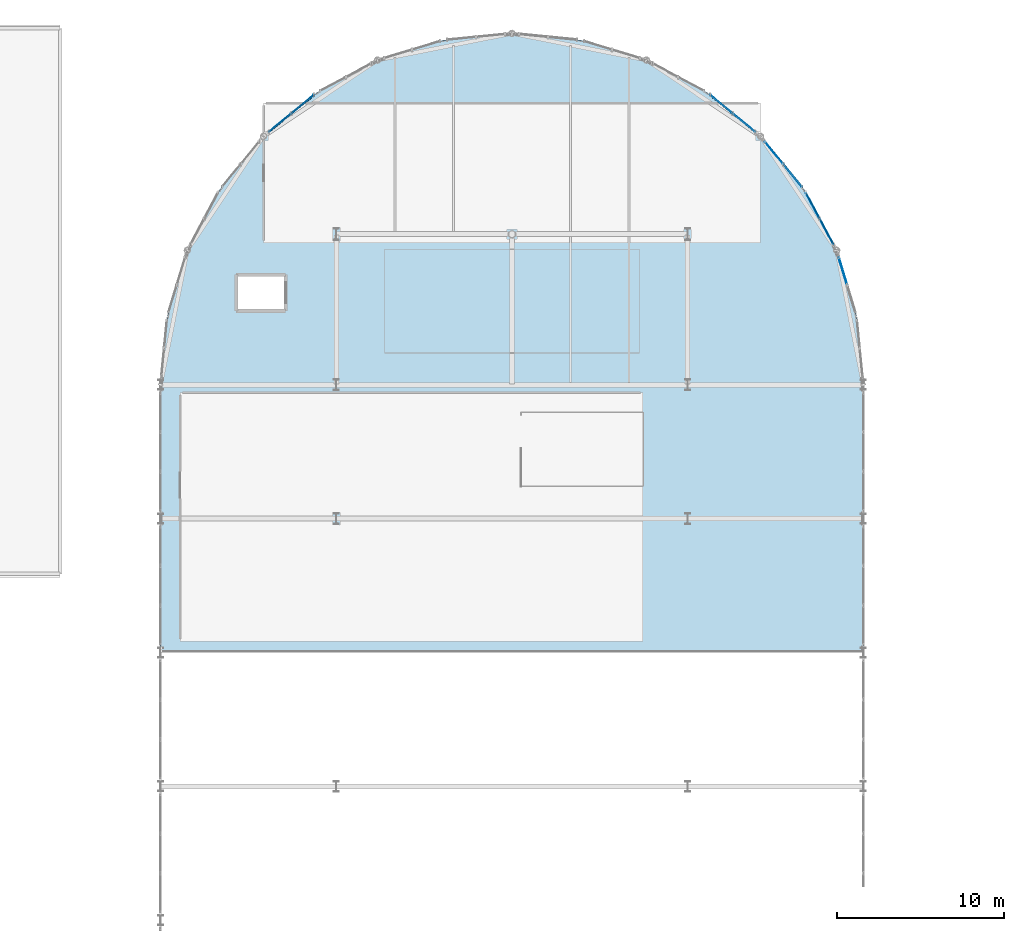
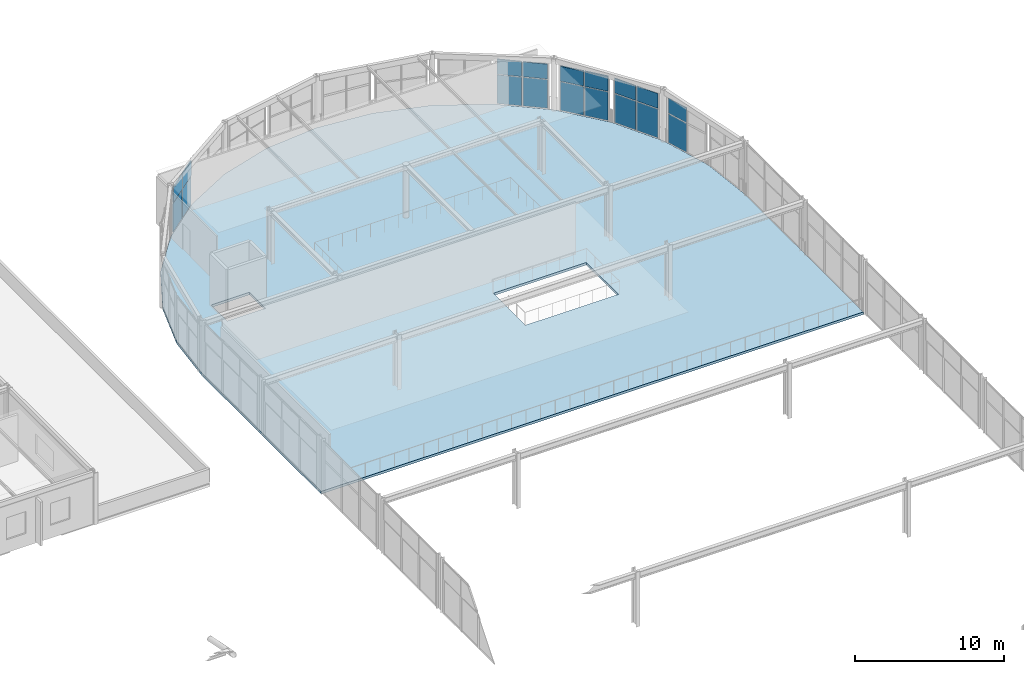
# One storey, part 55 of 105: 18 plates, 1 slab, 5 elements without a shape of their own.
"""IFC4 building model written with IfcOpenShell, lengths in metres."""

import ifcopenshell
import ifcopenshell.guid

model = None  # the IFC model being written
_history = None  # IfcOwnerHistory: only IFC2X3 demands one
_inside = {}  # id of a spatial element -> (the spatial element, [elements in it])
_under = {}  # id of a project, library or spatial element -> (it, [spatial elements below it])
_declared = {}  # id of a project -> (the project, [libraries it declares])
_typed = {}  # id of a type object -> (the type object, [elements of that type])
_made_of = {}  # id of a material, layer set ... -> (it, [elements and type objects made of it])


def new_model(schema):
    """Start an empty IFC model of exactly this schema.

    Asked for "IFC4X3", IfcOpenShell would pick the latest addendum, in which some entities
    have other attributes; the version numbers below select the first issue.
    IFC2X3 requires an IfcOwnerHistory on every rooted entity: one is made here for all.
    """
    global model, _history
    if schema == "IFC4X3":
        model = ifcopenshell.file(schema_version=(4, 3, 0, 0))
    else:
        model = ifcopenshell.file(schema=schema)
    _inside.clear()
    _under.clear()
    _declared.clear()
    _typed.clear()
    _made_of.clear()
    _history = None
    if model.schema == "IFC2X3":
        org = make("IfcOrganization", Name="unknown")
        user = make(
            "IfcPersonAndOrganization",
            ThePerson=make("IfcPerson", FamilyName="unknown"),
            TheOrganization=org,
        )
        app = make(
            "IfcApplication",
            ApplicationDeveloper=org,
            Version="unknown",
            ApplicationFullName="unknown",
            ApplicationIdentifier="unknown",
        )
        _history = make(
            "IfcOwnerHistory",
            OwningUser=user,
            OwningApplication=app,
            ChangeAction="ADDED",
            CreationDate=0,
        )
    return model


def make(cls, **values):
    """One entity of the class cls with the attributes given. An attribute that is None is left unset."""
    return model.create_entity(
        cls, **{name: value for name, value in values.items() if value is not None}
    )


def rooted(cls, **values):
    """An entity with a GlobalId (a new one), such as an element, a storey or a relation."""
    return make(cls, GlobalId=ifcopenshell.guid.new(), OwnerHistory=_history, **values)


def si_unit(unit_type, name, prefix=None):
    """IfcSIUnit, for example si_unit("LENGTHUNIT", "METRE", prefix="MILLI")."""
    return make("IfcSIUnit", UnitType=unit_type, Prefix=prefix, Name=name)


def assignment(units):
    """IfcUnitAssignment: the units of a project."""
    return None if units is None else make("IfcUnitAssignment", Units=units)


def point(xyz):
    """IfcCartesianPoint."""
    return None if xyz is None else make("IfcCartesianPoint", Coordinates=xyz)


def direction(xyz):
    """IfcDirection."""
    return None if xyz is None else make("IfcDirection", DirectionRatios=xyz)


def frame(location, z_axis=None, x_axis=None):
    """IfcAxis2Placement3D, a coordinate frame: its origin and axes. An axis left out is left unset."""
    return make(
        "IfcAxis2Placement3D",
        Location=point(location),
        Axis=direction(z_axis),
        RefDirection=direction(x_axis),
    )


def frame_2d(location, x_axis=None):
    """IfcAxis2Placement2D, a coordinate frame in the plane: its origin and x axis."""
    return make(
        "IfcAxis2Placement2D", Location=point(location), RefDirection=direction(x_axis)
    )


def origin():
    """The frame at (0, 0, 0) with its axes left unset."""
    return frame((0.0, 0.0, 0.0))


def origin_2d():
    """The frame at (0, 0) in the plane with its x axis left unset."""
    return frame_2d((0.0, 0.0))


def place(relative_to, where):
    """IfcLocalPlacement: puts the frame where relative to a parent placement (None: the world)."""
    return make(
        "IfcLocalPlacement", PlacementRelTo=relative_to, RelativePlacement=where
    )


def context(
    kind, dimensions, precision=None, world=None, true_north=None, identifier=None
):
    """IfcGeometricRepresentationContext, for example the 3D "Model" context."""
    return make(
        "IfcGeometricRepresentationContext",
        ContextIdentifier=identifier,
        ContextType=kind,
        CoordinateSpaceDimension=dimensions,
        Precision=precision,
        WorldCoordinateSystem=world,
        TrueNorth=true_north,
    )


def subcontext(parent, identifier, kind, view, scale=None):
    """IfcGeometricRepresentationSubContext, for example "Body" below "Model"."""
    return make(
        "IfcGeometricRepresentationSubContext",
        ContextIdentifier=identifier,
        ContextType=kind,
        ParentContext=parent,
        TargetScale=scale,
        TargetView=view,
    )


def project(units=None, contexts=None):
    """IfcProject with its units and contexts."""
    return rooted(
        "IfcProject",
        Name="project",
        RepresentationContexts=contexts,
        UnitsInContext=assignment(units),
    )


def spatial(cls, under=None, at=None, **own):
    """A site, building, storey or space (cls), placed at a placement, below another one or the project."""
    s = rooted(cls, ObjectPlacement=at, **own)
    if under is not None:
        _under.setdefault(under.id(), (under, []))[1].append(s)
    return s


def polyline(points):
    """IfcPolyline through the points."""
    return make("IfcPolyline", Points=[point(p) for p in points])


def profile(cls, at=None, kind="AREA", **sizes):
    """A parametric profile (cls). Its sizes go by their IFC names, for example OverallWidth=200.0."""
    return make(cls, ProfileType=kind, Position=at, **sizes)


def rectangle(**sizes):
    """IfcRectangleProfileDef."""
    return profile("IfcRectangleProfileDef", **sizes)


def outline(outer, holes=None, kind="AREA"):
    """IfcArbitraryClosedProfileDef: a profile drawn as a closed curve; with holes, ...WithVoids."""
    if holes is None:
        return make("IfcArbitraryClosedProfileDef", ProfileType=kind, OuterCurve=outer)
    return make(
        "IfcArbitraryProfileDefWithVoids",
        ProfileType=kind,
        OuterCurve=outer,
        InnerCurves=holes,
    )


def extrude(swept, where, along, depth):
    """IfcExtrudedAreaSolid: the profile swept, set in the frame where, extruded along a direction by depth."""
    return make(
        "IfcExtrudedAreaSolid",
        SweptArea=swept,
        Position=where,
        ExtrudedDirection=direction(along),
        Depth=depth,
    )


def shape(context_of_items, identifier, shape_type, items):
    """IfcShapeRepresentation: the items that make up one representation, for example the "Body"."""
    return make(
        "IfcShapeRepresentation",
        ContextOfItems=context_of_items,
        RepresentationIdentifier=identifier,
        RepresentationType=shape_type,
        Items=items,
    )


def material(Name=None, Category=None):
    """IfcMaterial."""
    return make("IfcMaterial", Name=Name, Category=Category)


def layer(
    of_material, thickness, ventilated=None, Name=None, Category=None, Priority=None
):
    """IfcMaterialLayer: one layer of a wall or slab, of a material (None: an air gap)."""
    return make(
        "IfcMaterialLayer",
        Material=of_material,
        LayerThickness=thickness,
        IsVentilated=ventilated,
        Name=Name,
        Category=Category,
        Priority=Priority,
    )


def layer_set(layers, Name=None):
    """IfcMaterialLayerSet."""
    return make("IfcMaterialLayerSet", MaterialLayers=layers, LayerSetName=Name)


def made_of(thing, what):
    """Note that an element or type object is made of a material, layer set ...; save() writes the relation."""
    if what is not None:
        _made_of.setdefault(what.id(), (what, []))[1].append(thing)
    return thing


def type_object(cls, material=None, **own):
    """A type object (cls), such as IfcWallType, which elements share."""
    return made_of(rooted(cls, **own), material)


def element(
    cls,
    number,
    at=None,
    inside=None,
    cuts=None,
    type_object=None,
    material=None,
    context=None,
    identifier="Body",
    shape_type=None,
    held_by="IfcProductDefinitionShape",
    body=None,
    shapes=None,
    **own,
):
    """One element of the class cls, such as IfcWall. Its Tag is "e" and its number.

    at: its placement. inside: the storey or other place that contains it. cuts: it is an
    opening in that element (IfcRelVoidsElement). A single representation is given by context,
    identifier, shape_type and body (its items); several are given by shapes. held_by: the class
    of the entity that holds the representations. save() writes the other relations.
    """
    e = rooted(cls, Tag="e%d" % number, ObjectPlacement=at, **own)
    if body is not None:
        shapes = [shape(context, identifier, shape_type, body)]
    if shapes is not None:
        e.Representation = make(held_by, Representations=shapes)
    if inside is not None:
        _inside.setdefault(inside.id(), (inside, []))[1].append(e)
    if cuts is not None:
        rooted(
            "IfcRelVoidsElement", RelatingBuildingElement=cuts, RelatedOpeningElement=e
        )
    if type_object is not None:
        _typed.setdefault(type_object.id(), (type_object, []))[1].append(e)
    return made_of(e, material)


def aggregate(whole, parts):
    """IfcRelAggregates: a whole, such as a stair, and the parts it consists of."""
    return rooted("IfcRelAggregates", RelatingObject=whole, RelatedObjects=parts)


def save(model, path):
    """Write the relations noted so far, then the file.

    IfcRelAggregates (storeys below a building ...), IfcRelContainedInSpatialStructure (elements
    in a storey), IfcRelDefinesByType, IfcRelAssociatesMaterial and IfcRelDeclares: one each for
    every whole, place, type object, material and project.
    """
    for whole, parts in _under.values():
        aggregate(whole, parts)
    for where, things in _inside.values():
        rooted(
            "IfcRelContainedInSpatialStructure",
            RelatedElements=things,
            RelatingStructure=where,
        )
    for kind, things in _typed.values():
        rooted("IfcRelDefinesByType", RelatedObjects=things, RelatingType=kind)
    for what, things in _made_of.values():
        rooted("IfcRelAssociatesMaterial", RelatedObjects=things, RelatingMaterial=what)
    for by, libraries in _declared.values():
        rooted("IfcRelDeclares", RelatingContext=by, RelatedDefinitions=libraries)
    model.write(path)


model = new_model("IFC4")

# Units and contexts
model_context = context("Model", 3, precision=1e-05, world=origin(), true_north=direction((0.0, 1.0)))
body_context = subcontext(model_context, "Body", "Model", "MODEL_VIEW")
ifc_project = project(units=[si_unit("LENGTHUNIT", "METRE"), si_unit("AREAUNIT", "SQUARE_METRE"), si_unit("VOLUMEUNIT", "CUBIC_METRE"), si_unit("PLANEANGLEUNIT", "RADIAN"), si_unit("MASSUNIT", "GRAM", prefix="KILO")], contexts=[model_context])

# Site, building, storey
site_placement = place(None, origin())
site = spatial("IfcSite", under=ifc_project, at=site_placement, CompositionType="ELEMENT")
building_placement = place(site_placement, origin())
building = spatial("IfcBuilding", under=site, at=building_placement, Name="Marlcrest Central Station", CompositionType="ELEMENT")
storey_placement = place(building_placement, frame((0.0, 0.0, 15.0)))
storey = spatial("IfcBuildingStorey", under=building, at=storey_placement, Name="L03", CompositionType="ELEMENT", Elevation=15.0)

# Curtain wall, plates
ifc_material_1 = material(Name="Anodised aluminium and hurricane laminated glass", Category="aluminium")
ifc_layer_1 = layer(ifc_material_1, 0.219970703125, Name="CW-U1")
ifc_layer_set_1 = layer_set([ifc_layer_1], Name="Anodised aluminium and hurricane laminated glass")
curtain_wall_type = type_object("IfcCurtainWallType", Name="CW-U1", PredefinedType="USERDEFINED", material=ifc_layer_set_1)
curtain_wall_1_placement = place(storey_placement, origin())
curtain_wall_1 = element("IfcCurtainWall", 1, at=curtain_wall_1_placement, inside=storey, type_object=curtain_wall_type, Name="cw-L03-0087", ObjectType="UNITISED_CURTAIN_WALL", PredefinedType="USERDEFINED")
ifc_material_2 = material(Name="Hurricane laminated solar-control glass", Category="glass")
ifc_layer_2 = layer(ifc_material_2, 0.031982421875, Name="CP-01")
ifc_layer_set_2 = layer_set([ifc_layer_2], Name="Hurricane laminated solar-control glass")
plate_type_1 = type_object("IfcPlateType", Name="CP-01", PredefinedType="CURTAIN_PANEL", material=ifc_layer_set_2)
plate_1_placement = place(storey_placement, frame((94.140869140625, 126.16162109375, 0.079833984375), z_axis=(0.0, 0.0, 1.0), x_axis=(0.772944015615, 0.63447423015, 0.0)))
plate_1 = element("IfcPlate", 2, at=plate_1_placement, type_object=plate_type_1, Name="cw-L03-0087-cp-lo-0", PredefinedType="CURTAIN_PANEL", context=body_context, shape_type="SweptSolid", body=[
    extrude(rectangle(XDim=1.677490234375, YDim=0.031982421875, at=origin_2d()), origin(), (0.0, 0.0, 1.0), 2.35009765625),
])
plate_2_placement = place(storey_placement, frame((95.49609375, 127.274169921875, 0.079833984375), z_axis=(0.0, 0.0, 1.0), x_axis=(0.772944015615, 0.63447423015, 0.0)))
plate_2 = element("IfcPlate", 3, at=plate_2_placement, type_object=plate_type_1, Name="cw-L03-0087-cp-lo-1", PredefinedType="CURTAIN_PANEL", context=body_context, shape_type="SweptSolid", body=[
    extrude(rectangle(XDim=1.677490234375, YDim=0.031982421875, at=origin_2d()), origin(), (0.0, 0.0, 1.0), 2.35009765625),
])

curtain_wall_2_placement = place(storey_placement, origin())
curtain_wall_2 = element("IfcCurtainWall", 4, at=curtain_wall_2_placement, inside=storey, type_object=curtain_wall_type, Name="cw-L03-0094", ObjectType="UNITISED_CURTAIN_WALL", PredefinedType="USERDEFINED")
plate_3_placement = place(storey_placement, frame((120.50390625, 127.274169921875, 0.079833984375), z_axis=(0.0, 0.0, 1.0), x_axis=(0.772944015615, -0.63447423015, 0.0)))
plate_3 = element("IfcPlate", 5, at=plate_3_placement, type_object=plate_type_1, Name="cw-L03-0094-cp-lo-0", PredefinedType="CURTAIN_PANEL", context=body_context, shape_type="SweptSolid", body=[
    extrude(rectangle(XDim=1.677490234375, YDim=0.031982421875, at=origin_2d()), origin(), (0.0, 0.0, 1.0), 2.35009765625),
])
plate_4_placement = place(storey_placement, frame((121.859130859375, 126.16162109375, 0.079833984375), z_axis=(0.0, 0.0, 1.0), x_axis=(0.772944015615, -0.63447423015, 0.0)))
plate_4 = element("IfcPlate", 6, at=plate_4_placement, type_object=plate_type_1, Name="cw-L03-0094-cp-lo-1", PredefinedType="CURTAIN_PANEL", context=body_context, shape_type="SweptSolid", body=[
    extrude(rectangle(XDim=1.677490234375, YDim=0.031982421875, at=origin_2d()), origin(), (0.0, 0.0, 1.0), 2.35009765625),
])

curtain_wall_3_placement = place(storey_placement, origin())
curtain_wall_3 = element("IfcCurtainWall", 7, at=curtain_wall_3_placement, inside=storey, type_object=curtain_wall_type, Name="cw-L03-0095", ObjectType="UNITISED_CURTAIN_WALL", PredefinedType="USERDEFINED")
plate_5_placement = place(storey_placement, frame((123.66162109375, 124.359130859375, 0.079833984375), z_axis=(0.0, 0.0, 1.0), x_axis=(0.63447423015, -0.772944015615, 0.0)))
plate_5 = element("IfcPlate", 8, at=plate_5_placement, type_object=plate_type_1, Name="cw-L03-0095-cp-lo-0", PredefinedType="CURTAIN_PANEL", context=body_context, shape_type="SweptSolid", body=[
    extrude(rectangle(XDim=1.677490234375, YDim=0.031982421875, at=origin_2d()), origin(), (0.0, 0.0, 1.0), 2.35009765625),
])
plate_6_placement = place(storey_placement, frame((124.774169921875, 123.00390625, 0.079833984375), z_axis=(0.0, 0.0, 1.0), x_axis=(0.63447423015, -0.772944015615, 0.0)))
plate_6 = element("IfcPlate", 9, at=plate_6_placement, type_object=plate_type_1, Name="cw-L03-0095-cp-lo-1", PredefinedType="CURTAIN_PANEL", context=body_context, shape_type="SweptSolid", body=[
    extrude(rectangle(XDim=1.677490234375, YDim=0.031982421875, at=origin_2d()), origin(), (0.0, 0.0, 1.0), 2.35009765625),
])

curtain_wall_4_placement = place(storey_placement, origin())
curtain_wall_4 = element("IfcCurtainWall", 10, at=curtain_wall_4_placement, inside=storey, type_object=curtain_wall_type, Name="cw-L03-0096", ObjectType="UNITISED_CURTAIN_WALL", PredefinedType="USERDEFINED")
plate_7_placement = place(storey_placement, frame((125.97119140625, 121.212158203125, 0.079833984375), z_axis=(0.0, 0.0, 1.0), x_axis=(0.471242805349, -0.882003525167, 0.0)))
plate_7 = element("IfcPlate", 11, at=plate_7_placement, type_object=plate_type_1, Name="cw-L03-0096-cp-lo-0", PredefinedType="CURTAIN_PANEL", context=body_context, shape_type="SweptSolid", body=[
    extrude(rectangle(XDim=1.677490234375, YDim=0.031982421875, at=origin_2d()), origin(), (0.0, 0.0, 1.0), 2.35009765625),
])
plate_8_placement = place(storey_placement, frame((126.79736328125, 119.66552734375, 0.079833984375), z_axis=(0.0, 0.0, 1.0), x_axis=(0.471242805349, -0.882003525167, 0.0)))
plate_8 = element("IfcPlate", 12, at=plate_8_placement, type_object=plate_type_1, Name="cw-L03-0096-cp-lo-1", PredefinedType="CURTAIN_PANEL", context=body_context, shape_type="SweptSolid", body=[
    extrude(rectangle(XDim=1.677490234375, YDim=0.031982421875, at=origin_2d()), origin(), (0.0, 0.0, 1.0), 2.35009765625),
])

# Curtain wall, plate
curtain_wall_5_placement = place(storey_placement, origin())
curtain_wall_5 = element("IfcCurtainWall", 13, at=curtain_wall_5_placement, inside=storey, type_object=curtain_wall_type, Name="cw-L03-0097", ObjectType="UNITISED_CURTAIN_WALL", PredefinedType="USERDEFINED")
plate_9_placement = place(storey_placement, frame((127.772705078125, 117.310546875, 0.079833984375), z_axis=(0.0, 0.0, 1.0), x_axis=(0.290318080597, -0.956930202302, 0.0)))
plate_9 = element("IfcPlate", 14, at=plate_9_placement, type_object=plate_type_1, Name="cw-L03-0097-cp-lo-0", PredefinedType="CURTAIN_PANEL", context=body_context, shape_type="SweptSolid", body=[
    extrude(rectangle(XDim=1.67724609375, YDim=0.031982421875, at=origin_2d()), origin(), (0.0, 0.0, 1.0), 2.35009765625),
])

# Plate
ifc_material_3 = material(Name="Insulated bronze-anodised aluminium spandrel panel", Category="aluminium")
ifc_layer_3 = layer(ifc_material_3, 0.06005859375, Name="CP-04")
ifc_layer_set_3 = layer_set([ifc_layer_3], Name="Insulated bronze-anodised aluminium spandrel panel")
plate_type_2 = type_object("IfcPlateType", Name="CP-04", PredefinedType="CURTAIN_PANEL", material=ifc_layer_set_3)
plate_10_placement = place(storey_placement, frame((125.97119140625, 121.212158203125, 2.510009765625), z_axis=(0.0, 0.0, 1.0), x_axis=(0.471242805349, -0.882003525167, 0.0)))
plate_10 = element("IfcPlate", 15, at=plate_10_placement, type_object=plate_type_2, Name="cw-L03-0096-cp-hi-0", PredefinedType="CURTAIN_PANEL", context=body_context, shape_type="SweptSolid", body=[
    extrude(rectangle(XDim=1.677490234375, YDim=0.06005859375, at=origin_2d()), origin(), (0.0, 0.0, 1.0), 1.2099609375),
])

plate_11_placement = place(storey_placement, frame((126.79736328125, 119.66552734375, 2.510009765625), z_axis=(0.0, 0.0, 1.0), x_axis=(0.471242805349, -0.882003525167, 0.0)))
plate_11 = element("IfcPlate", 16, at=plate_11_placement, type_object=plate_type_2, Name="cw-L03-0096-cp-hi-1", PredefinedType="CURTAIN_PANEL", context=body_context, shape_type="SweptSolid", body=[
    extrude(rectangle(XDim=1.677490234375, YDim=0.06005859375, at=origin_2d()), origin(), (0.0, 0.0, 1.0), 1.2099609375),
])

aggregate(curtain_wall_4, [plate_7, plate_10, plate_8, plate_11])

ifc_layer_4 = layer(ifc_material_3, 0.050048828125, Name="CP-05")
ifc_layer_set_4 = layer_set([ifc_layer_4], Name="Insulated bronze-anodised aluminium spandrel panel")
plate_type_3 = type_object("IfcPlateType", Name="CP-05", PredefinedType="CURTAIN_PANEL", material=ifc_layer_set_4)
plate_12_placement = place(storey_placement, frame((127.772705078125, 117.310546875, 2.510009765625), z_axis=(0.0, 0.0, 1.0), x_axis=(0.290318080597, -0.956930202302, 0.0)))
plate_12 = element("IfcPlate", 17, at=plate_12_placement, type_object=plate_type_3, Name="cw-L03-0097-cp-hi-0", PredefinedType="CURTAIN_PANEL", context=body_context, shape_type="SweptSolid", body=[
    extrude(rectangle(XDim=1.67724609375, YDim=0.050048828125, at=origin_2d()), origin(), (0.0, 0.0, 1.0), 1.2099609375),
])

aggregate(curtain_wall_5, [plate_9, plate_12])

ifc_material_4 = material(Name="Insulated hurricane-rated spandrel panel")
ifc_layer_5 = layer(ifc_material_4, 0.090087890625, Name="CP-07")
ifc_layer_set_5 = layer_set([ifc_layer_5], Name="Insulated hurricane-rated spandrel panel")
plate_type_4 = type_object("IfcPlateType", Name="CP-07", PredefinedType="CURTAIN_PANEL", material=ifc_layer_set_5)
plate_13_placement = place(storey_placement, frame((94.140869140625, 126.16162109375, 2.510009765625), z_axis=(0.0, 0.0, 1.0), x_axis=(0.772944015615, 0.63447423015, 0.0)))
plate_13 = element("IfcPlate", 18, at=plate_13_placement, type_object=plate_type_4, Name="cw-L03-0087-cp-hi-0", PredefinedType="CURTAIN_PANEL", context=body_context, shape_type="SweptSolid", body=[
    extrude(rectangle(XDim=1.677490234375, YDim=0.090087890625, at=origin_2d()), origin(), (0.0, 0.0, 1.0), 1.2099609375),
])

plate_14_placement = place(storey_placement, frame((95.49609375, 127.274169921875, 2.510009765625), z_axis=(0.0, 0.0, 1.0), x_axis=(0.772944015615, 0.63447423015, 0.0)))
plate_14 = element("IfcPlate", 19, at=plate_14_placement, type_object=plate_type_4, Name="cw-L03-0087-cp-hi-1", PredefinedType="CURTAIN_PANEL", context=body_context, shape_type="SweptSolid", body=[
    extrude(rectangle(XDim=1.677490234375, YDim=0.090087890625, at=origin_2d()), origin(), (0.0, 0.0, 1.0), 1.2099609375),
])

aggregate(curtain_wall_1, [plate_1, plate_13, plate_2, plate_14])

ifc_material_5 = material(Name="Insulated shadow-box spandrel panel")
ifc_layer_6 = layer(ifc_material_5, 0.10498046875, Name="CP-08")
ifc_layer_set_6 = layer_set([ifc_layer_6], Name="Insulated shadow-box spandrel panel")
plate_type_5 = type_object("IfcPlateType", Name="CP-08", PredefinedType="CURTAIN_PANEL", material=ifc_layer_set_6)
plate_15_placement = place(storey_placement, frame((120.50390625, 127.274169921875, 2.510009765625), z_axis=(0.0, 0.0, 1.0), x_axis=(0.772944015615, -0.63447423015, 0.0)))
plate_15 = element("IfcPlate", 20, at=plate_15_placement, type_object=plate_type_5, Name="cw-L03-0094-cp-hi-0", PredefinedType="CURTAIN_PANEL", context=body_context, shape_type="SweptSolid", body=[
    extrude(rectangle(XDim=1.677490234375, YDim=0.10498046875, at=origin_2d()), origin(), (0.0, 0.0, 1.0), 1.2099609375),
])

plate_16_placement = place(storey_placement, frame((121.859130859375, 126.16162109375, 2.510009765625), z_axis=(0.0, 0.0, 1.0), x_axis=(0.772944015615, -0.63447423015, 0.0)))
plate_16 = element("IfcPlate", 21, at=plate_16_placement, type_object=plate_type_5, Name="cw-L03-0094-cp-hi-1", PredefinedType="CURTAIN_PANEL", context=body_context, shape_type="SweptSolid", body=[
    extrude(rectangle(XDim=1.677490234375, YDim=0.10498046875, at=origin_2d()), origin(), (0.0, 0.0, 1.0), 1.2099609375),
])

aggregate(curtain_wall_2, [plate_3, plate_15, plate_4, plate_16])

ifc_material_6 = material(Name="Insulated fire-safing spandrel panel")
ifc_layer_7 = layer(ifc_material_6, 0.1201171875, Name="CP-09")
ifc_layer_set_7 = layer_set([ifc_layer_7], Name="Insulated fire-safing spandrel panel")
plate_type_6 = type_object("IfcPlateType", Name="CP-09", PredefinedType="CURTAIN_PANEL", material=ifc_layer_set_7)
plate_17_placement = place(storey_placement, frame((123.66162109375, 124.359130859375, 2.510009765625), z_axis=(0.0, 0.0, 1.0), x_axis=(0.63447423015, -0.772944015615, 0.0)))
plate_17 = element("IfcPlate", 22, at=plate_17_placement, type_object=plate_type_6, Name="cw-L03-0095-cp-hi-0", PredefinedType="CURTAIN_PANEL", context=body_context, shape_type="SweptSolid", body=[
    extrude(rectangle(XDim=1.677490234375, YDim=0.1201171875, at=origin_2d()), origin(), (0.0, 0.0, 1.0), 1.2099609375),
])

plate_18_placement = place(storey_placement, frame((124.774169921875, 123.00390625, 2.510009765625), z_axis=(0.0, 0.0, 1.0), x_axis=(0.63447423015, -0.772944015615, 0.0)))
plate_18 = element("IfcPlate", 23, at=plate_18_placement, type_object=plate_type_6, Name="cw-L03-0095-cp-hi-1", PredefinedType="CURTAIN_PANEL", context=body_context, shape_type="SweptSolid", body=[
    extrude(rectangle(XDim=1.677490234375, YDim=0.1201171875, at=origin_2d()), origin(), (0.0, 0.0, 1.0), 1.2099609375),
])

aggregate(curtain_wall_3, [plate_5, plate_17, plate_6, plate_18])

# Slab
ifc_material_7 = material(Name="Concrete C35/45", Category="concrete")
ifc_layer_8 = layer(ifc_material_7, 0.199951171875, Name="FS-03")
ifc_layer_set_8 = layer_set([ifc_layer_8], Name="Concrete C35/45")
slab_type = type_object("IfcSlabType", Name="FS-03", PredefinedType="FLOOR", material=ifc_layer_set_8)
slab_placement = place(storey_placement, frame((0.0, 0.0, -0.199951171875)))
element("IfcSlab", 24, at=slab_placement, inside=storey, type_object=slab_type, Name="slab-L03-0095", PredefinedType="FLOOR", context=body_context, shape_type="SweptSolid", body=[
    extrude(outline(polyline([(87.0, 94.5), (129.0, 94.5), (129.0, 110.5), (128.595947265625, 114.596923828125), (127.40087890625, 118.535888671875), (125.4609375, 122.1669921875), (122.84912109375, 125.34912109375), (119.6669921875, 127.9609375), (116.035888671875, 129.90087890625), (112.096923828125, 131.095947265625), (108.0, 131.5), (103.903076171875, 131.095947265625), (99.964111328125, 129.90087890625), (96.3330078125, 127.9609375), (93.15087890625, 125.34912109375), (90.5390625, 122.1669921875), (88.59912109375, 118.535888671875), (87.404052734375, 114.596923828125), (87.0, 110.5), (87.0, 94.5)]), holes=[polyline([(108.60009765625, 104.5), (115.800048828125, 104.5), (115.800048828125, 108.800048828125), (108.60009765625, 108.800048828125), (108.60009765625, 104.5)]), polyline([(91.52001953125, 114.919921875), (94.47998046875, 114.919921875), (94.47998046875, 117.080078125), (91.52001953125, 117.080078125), (91.52001953125, 114.919921875)])]), origin(), (0.0, 0.0, 1.0), 0.199951171875),
])

save(model, "model.ifc")
